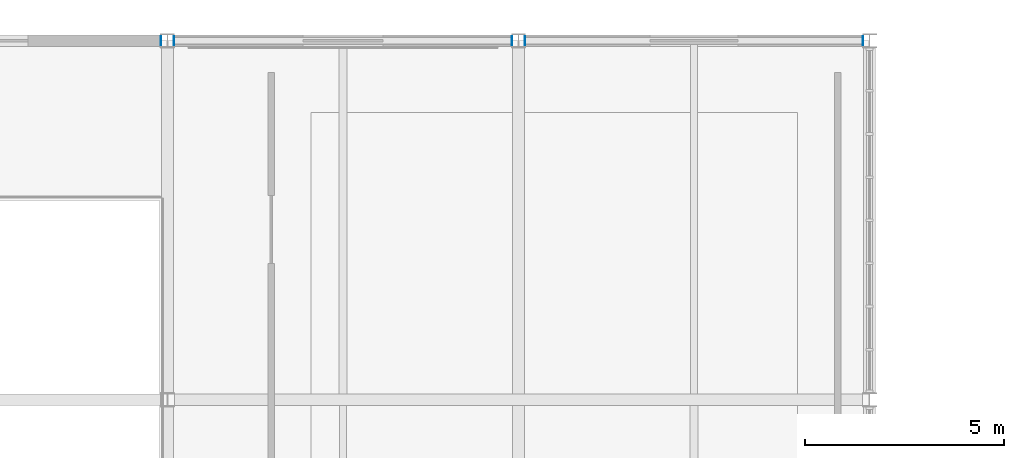
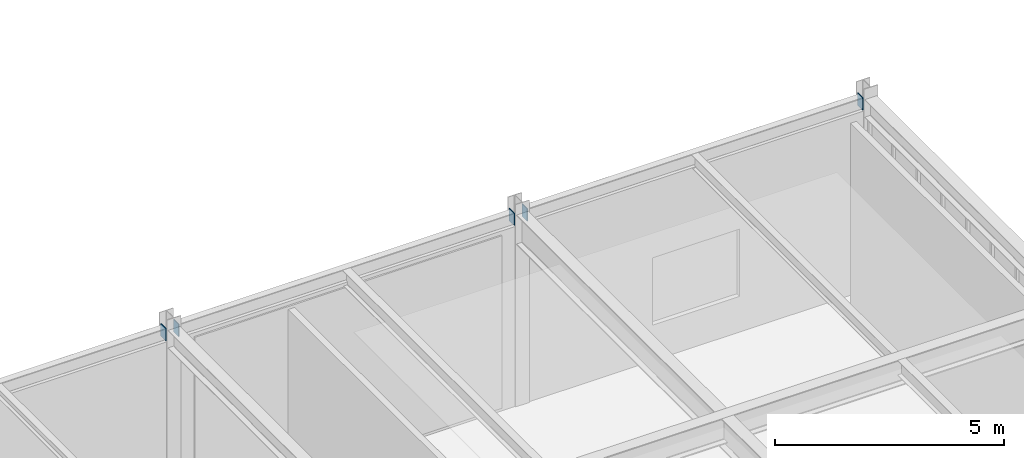
# One storey, part 139 of 184: 5 plates.
"""IFC4 building model written with IfcOpenShell, lengths in metres."""

from ifc_helpers import new_model, si_unit, direction, frame, origin, origin_2d, place, context, subcontext, project, spatial, rectangle, extrude, material, layer, layer_set, type_object, element, save


model = new_model("IFC4")

# Units and contexts
model_context = context("Model", 3, precision=1e-05, world=origin(), true_north=direction((0.0, 1.0)))
body_context = subcontext(model_context, "Body", "Model", "MODEL_VIEW")
ifc_project = project(units=[si_unit("LENGTHUNIT", "METRE"), si_unit("AREAUNIT", "SQUARE_METRE"), si_unit("VOLUMEUNIT", "CUBIC_METRE"), si_unit("PLANEANGLEUNIT", "RADIAN"), si_unit("MASSUNIT", "GRAM", prefix="KILO")], contexts=[model_context])

# Site, building, storey
site_placement = place(None, origin())
site = spatial("IfcSite", under=ifc_project, at=site_placement, CompositionType="ELEMENT")
building_placement = place(site_placement, origin())
building = spatial("IfcBuilding", under=site, at=building_placement, Name="Zhaolan Boulevard Law Courts", CompositionType="ELEMENT")
storey_placement = place(building_placement, frame((0.0, 0.0, 5.39990234375)))
storey = spatial("IfcBuildingStorey", under=building, at=storey_placement, Name="L01", CompositionType="ELEMENT", Elevation=5.39990234375)

# Plates
ifc_material = material(Name="Structural steel Q355B", Category="steel")
ifc_layer = layer(ifc_material, 0.02001953125)
ifc_layer_set = layer_set([ifc_layer])
plate_type = type_object("IfcPlateType", Name="END CAP PLATE 20", PredefinedType="SHEET", material=ifc_layer_set)
for number, where, z_axis, x_axis, name in (
    (1, (26.237060546875, 112.0, 4.802978515625), (0.0, 0.0, 1.0), (1.0, 0.0, 0.0), "Hollow Section End-Cap Plate ECP-0858"),
    (2, (26.56298828125, 112.0, 4.802978515625), (0.0, 0.0, 1.0), (1.0, 0.0, 0.0), "Hollow Section End-Cap Plate ECP-0859"),
    (3, (35.037109375, 112.0, 4.802978515625), (0.0, 0.0, 1.0), (1.0, 0.0, 0.0), "Hollow Section End-Cap Plate ECP-0860"),
    (4, (35.363037109375, 112.0, 4.802978515625), (0.0, 0.0, 1.0), (1.0, 0.0, 0.0), "Hollow Section End-Cap Plate ECP-0861"),
    (5, (43.8369140625, 112.0, 4.802978515625), (0.0, 0.0, 1.0), (1.0, 0.0, 0.0), "Hollow Section End-Cap Plate ECP-0862"),
):
    element("IfcPlate", number, at=place(storey_placement, frame(where, z_axis=z_axis, x_axis=x_axis)), inside=storey, type_object=plate_type, Name=name, PredefinedType="SHEET", context=body_context, shape_type="SweptSolid", body=[
        extrude(rectangle(XDim=0.02001953125, YDim=0.22998046875, at=origin_2d()), origin(), (0.0, 0.0, 1.0), 0.330078125),
    ])

save(model, "model.ifc")
